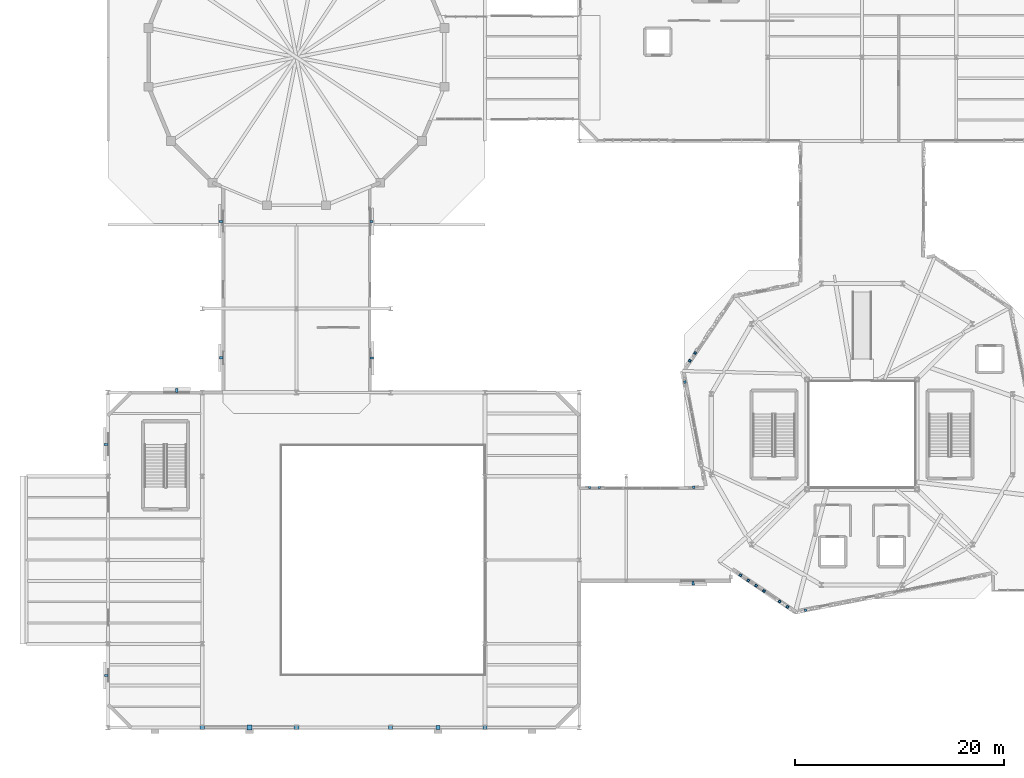
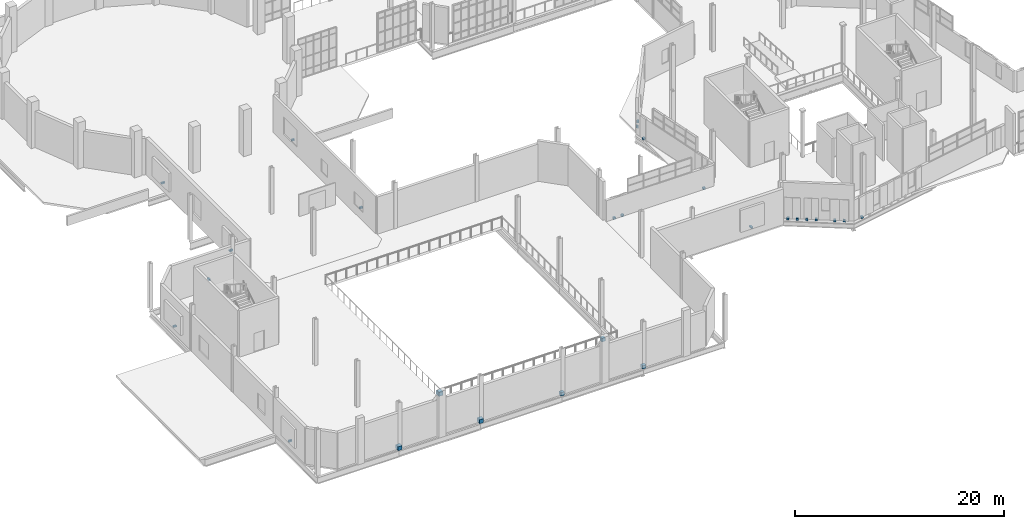
# One storey, part 129 of 142: 27 discrete accessories.
"""IFC4 building model written with IfcOpenShell, lengths in metres."""

from ifc_helpers import new_model, si_unit, direction, frame, origin, place, context, subcontext, project, spatial, polyline, outline, extrude, material, type_object, element, save


model = new_model("IFC4")

# Units and contexts
model_context = context("Model", 3, precision=1e-05, world=origin(), true_north=direction((0.0, 1.0)))
body_context = subcontext(model_context, "Body", "Model", "MODEL_VIEW")
ifc_project = project(units=[si_unit("LENGTHUNIT", "METRE"), si_unit("AREAUNIT", "SQUARE_METRE"), si_unit("VOLUMEUNIT", "CUBIC_METRE"), si_unit("PLANEANGLEUNIT", "RADIAN"), si_unit("MASSUNIT", "GRAM", prefix="KILO"), si_unit("THERMODYNAMICTEMPERATUREUNIT", "KELVIN"), si_unit("POWERUNIT", "WATT")], contexts=[model_context])

# Site, building, storey
site_placement = place(None, origin())
site = spatial("IfcSite", under=ifc_project, at=site_placement, CompositionType="ELEMENT")
building_placement = place(site_placement, origin())
building = spatial("IfcBuilding", under=site, at=building_placement, Name="Zelmaris Science Centre", CompositionType="ELEMENT")
storey_placement = place(building_placement, frame((0.0, 0.0, 5.39990234375)))
storey = spatial("IfcBuildingStorey", under=building, at=storey_placement, Name="L01", CompositionType="ELEMENT", Elevation=5.39990234375)

# Discrete accessories
ifc_material_1 = material(Name="Galvanised steel ASTM A500 Grade B", Category="steel")
discrete_accessory_type_1 = type_object("IfcDiscreteAccessoryType", Name="Facade Bracket BK-01", PredefinedType="BRACKET", material=ifc_material_1)
discrete_accessory_1_placement = place(storey_placement, frame((0.0, 0.0, -0.139892578125)))
element("IfcDiscreteAccessory", 1, at=discrete_accessory_1_placement, inside=storey, type_object=discrete_accessory_type_1, Name="L01 Facade anchorage bracket 9", PredefinedType="BRACKET", context=body_context, shape_type="SweptSolid", body=[
    extrude(outline(polyline([(75.7080078125, 19.352294921875), (75.472412109375, 19.306396484375), (75.5166015625, 19.0791015625), (75.752197265625, 19.125), (75.7080078125, 19.352294921875)])), origin(), (0.0, 0.0, 1.0), 0.239990234375),
])
discrete_accessory_2_placement = place(storey_placement, frame((0.0, 0.0, -0.139892578125)))
element("IfcDiscreteAccessory", 2, at=discrete_accessory_2_placement, inside=storey, type_object=discrete_accessory_type_1, Name="L01 Facade anchorage bracket 10", PredefinedType="BRACKET", context=body_context, shape_type="SweptSolid", body=[
    extrude(outline(polyline([(74.035888671875, 19.560546875), (73.8369140625, 19.694580078125), (73.70751953125, 19.50244140625), (73.90673828125, 19.368408203125), (74.035888671875, 19.560546875)])), origin(), (0.0, 0.0, 1.0), 0.239990234375),
])
discrete_accessory_3_placement = place(storey_placement, frame((0.0, 0.0, -0.139892578125)))
element("IfcDiscreteAccessory", 3, at=discrete_accessory_3_placement, inside=storey, type_object=discrete_accessory_type_1, Name="L01 Facade anchorage bracket 11", PredefinedType="BRACKET", context=body_context, shape_type="SweptSolid", body=[
    extrude(outline(polyline([(73.2890625, 20.062744140625), (73.090087890625, 20.19677734375), (72.960693359375, 20.004638671875), (73.159912109375, 19.87060546875), (73.2890625, 20.062744140625)])), origin(), (0.0, 0.0, 1.0), 0.239990234375),
])
discrete_accessory_4_placement = place(storey_placement, frame((0.0, 0.0, -0.139892578125)))
element("IfcDiscreteAccessory", 4, at=discrete_accessory_4_placement, inside=storey, type_object=discrete_accessory_type_1, Name="L01 Facade anchorage bracket 12", PredefinedType="BRACKET", context=body_context, shape_type="SweptSolid", body=[
    extrude(outline(polyline([(71.79541015625, 21.0673828125), (71.59619140625, 21.201171875), (71.467041015625, 21.009033203125), (71.666259765625, 20.875), (71.79541015625, 21.0673828125)])), origin(), (0.0, 0.0, 1.0), 0.239990234375),
])
discrete_accessory_5_placement = place(storey_placement, frame((0.0, 0.0, -0.139892578125)))
element("IfcDiscreteAccessory", 5, at=discrete_accessory_5_placement, inside=storey, type_object=discrete_accessory_type_1, Name="L01 Facade anchorage bracket 13", PredefinedType="BRACKET", context=body_context, shape_type="SweptSolid", body=[
    extrude(outline(polyline([(71.048583984375, 21.569580078125), (70.849365234375, 21.703369140625), (70.72021484375, 21.51123046875), (70.91943359375, 21.377197265625), (71.048583984375, 21.569580078125)])), origin(), (0.0, 0.0, 1.0), 0.239990234375),
])
discrete_accessory_6_placement = place(storey_placement, frame((0.0, 0.0, -0.139892578125)))
element("IfcDiscreteAccessory", 6, at=discrete_accessory_6_placement, inside=storey, type_object=discrete_accessory_type_1, Name="L01 Facade anchorage bracket 14", PredefinedType="BRACKET", context=body_context, shape_type="SweptSolid", body=[
    extrude(outline(polyline([(70.3017578125, 22.07177734375), (70.1025390625, 22.20556640625), (69.973388671875, 22.013427734375), (70.172607421875, 21.87939453125), (70.3017578125, 22.07177734375)])), origin(), (0.0, 0.0, 1.0), 0.239990234375),
])
discrete_accessory_7_placement = place(storey_placement, frame((0.0, 0.0, -0.139892578125)))
element("IfcDiscreteAccessory", 7, at=discrete_accessory_7_placement, inside=storey, type_object=discrete_accessory_type_1, Name="L01 Facade anchorage bracket 15", PredefinedType="BRACKET", context=body_context, shape_type="SweptSolid", body=[
    extrude(outline(polyline([(69.554931640625, 22.573974609375), (69.355712890625, 22.7080078125), (69.2265625, 22.515625), (69.42578125, 22.381591796875), (69.554931640625, 22.573974609375)])), origin(), (0.0, 0.0, 1.0), 0.239990234375),
])
discrete_accessory_8_placement = place(storey_placement, frame((0.0, 0.0, -0.139892578125)))
element("IfcDiscreteAccessory", 8, at=discrete_accessory_8_placement, inside=storey, type_object=discrete_accessory_type_1, Name="L01 Facade anchorage bracket 36", PredefinedType="BRACKET", context=body_context, shape_type="SweptSolid", body=[
    extrude(outline(polyline([(54.90185546875, 30.810546875), (55.141845703125, 30.810791015625), (55.1416015625, 31.04248046875), (54.901611328125, 31.042236328125), (54.90185546875, 30.810546875)])), origin(), (0.0, 0.0, 1.0), 0.239990234375),
])
discrete_accessory_9_placement = place(storey_placement, frame((0.0, 0.0, -0.139892578125)))
element("IfcDiscreteAccessory", 9, at=discrete_accessory_9_placement, inside=storey, type_object=discrete_accessory_type_1, Name="L01 Facade anchorage bracket 37", PredefinedType="BRACKET", context=body_context, shape_type="SweptSolid", body=[
    extrude(outline(polyline([(55.8017578125, 30.811279296875), (56.041748046875, 30.811279296875), (56.04150390625, 31.04296875), (55.801513671875, 31.042724609375), (55.8017578125, 30.811279296875)])), origin(), (0.0, 0.0, 1.0), 0.239990234375),
])
discrete_accessory_10_placement = place(storey_placement, frame((0.0, 0.0, -0.139892578125)))
element("IfcDiscreteAccessory", 10, at=discrete_accessory_10_placement, inside=storey, type_object=discrete_accessory_type_1, Name="L01 Facade anchorage bracket 38", PredefinedType="BRACKET", context=body_context, shape_type="SweptSolid", body=[
    extrude(outline(polyline([(64.8017578125, 30.81689453125), (65.041748046875, 30.81689453125), (65.04150390625, 31.048583984375), (64.801513671875, 31.04833984375), (64.8017578125, 30.81689453125)])), origin(), (0.0, 0.0, 1.0), 0.239990234375),
])
discrete_accessory_11_placement = place(storey_placement, frame((0.0, 0.0, -0.139892578125)))
element("IfcDiscreteAccessory", 11, at=discrete_accessory_11_placement, inside=storey, type_object=discrete_accessory_type_1, Name="L01 Facade anchorage bracket 41", PredefinedType="BRACKET", context=body_context, shape_type="SweptSolid", body=[
    extrude(outline(polyline([(64.22705078125, 40.89697265625), (64.181396484375, 41.132568359375), (63.953857421875, 41.08837890625), (63.999755859375, 40.852783203125), (64.22705078125, 40.89697265625)])), origin(), (0.0, 0.0, 1.0), 0.239990234375),
])
discrete_accessory_12_placement = place(storey_placement, frame((0.0, 0.0, -0.139892578125)))
element("IfcDiscreteAccessory", 12, at=discrete_accessory_12_placement, inside=storey, type_object=discrete_accessory_type_1, Name="L01 Facade anchorage bracket 42", PredefinedType="BRACKET", context=body_context, shape_type="SweptSolid", body=[
    extrude(outline(polyline([(64.58837890625, 42.858642578125), (64.72265625, 43.0576171875), (64.53076171875, 43.18701171875), (64.396484375, 42.988037109375), (64.58837890625, 42.858642578125)])), origin(), (0.0, 0.0, 1.0), 0.239990234375),
])
discrete_accessory_13_placement = place(storey_placement, frame((0.0, 0.0, -0.139892578125)))
element("IfcDiscreteAccessory", 13, at=discrete_accessory_13_placement, inside=storey, type_object=discrete_accessory_type_1, Name="L01 Facade anchorage bracket 43", PredefinedType="BRACKET", context=body_context, shape_type="SweptSolid", body=[
    extrude(outline(polyline([(65.091796875, 43.604736328125), (65.22607421875, 43.8037109375), (65.033935546875, 43.93310546875), (64.89990234375, 43.734130859375), (65.091796875, 43.604736328125)])), origin(), (0.0, 0.0, 1.0), 0.239990234375),
])
discrete_accessory_type_2 = type_object("IfcDiscreteAccessoryType", Name="Facade Bracket BK-02", PredefinedType="BRACKET", material=ifc_material_1)
discrete_accessory_14_placement = place(storey_placement, frame((0.0, 0.0, 0.920166015625)))
element("IfcDiscreteAccessory", 14, at=discrete_accessory_14_placement, inside=storey, type_object=discrete_accessory_type_2, Name="L01 Louvre support bracket 1", PredefinedType="BRACKET", context=body_context, shape_type="SweptSolid", body=[
    extrude(outline(polyline([(9.0, 12.860107421875), (9.0, 13.06005859375), (8.650146484375, 13.06005859375), (8.650146484375, 12.860107421875), (9.0, 12.860107421875)])), origin(), (0.0, 0.0, 1.0), 0.179931640625),
])
discrete_accessory_15_placement = place(storey_placement, frame((0.0, 0.0, 0.920166015625)))
element("IfcDiscreteAccessory", 15, at=discrete_accessory_15_placement, inside=storey, type_object=discrete_accessory_type_2, Name="L01 Louvre support bracket 2", PredefinedType="BRACKET", context=body_context, shape_type="SweptSolid", body=[
    extrude(outline(polyline([(9.0, 34.93994140625), (9.0, 35.139892578125), (8.64013671875, 35.139892578125), (8.64013671875, 34.93994140625), (9.0, 34.93994140625)])), origin(), (0.0, 0.0, 1.0), 0.179931640625),
])
discrete_accessory_16_placement = place(storey_placement, frame((0.0, 0.0, 0.920166015625)))
element("IfcDiscreteAccessory", 16, at=discrete_accessory_16_placement, inside=storey, type_object=discrete_accessory_type_2, Name="L01 Louvre support bracket 3", PredefinedType="BRACKET", context=body_context, shape_type="SweptSolid", body=[
    extrude(outline(polyline([(15.469970703125, 40.0), (15.669921875, 40.0), (15.669921875, 40.3701171875), (15.469970703125, 40.3701171875), (15.469970703125, 40.0)])), origin(), (0.0, 0.0, 1.0), 0.179931640625),
])
discrete_accessory_17_placement = place(storey_placement, frame((0.0, 0.0, 0.920166015625)))
element("IfcDiscreteAccessory", 17, at=discrete_accessory_17_placement, inside=storey, type_object=discrete_accessory_type_2, Name="L01 Louvre support bracket 4", PredefinedType="BRACKET", context=body_context, shape_type="SweptSolid", body=[
    extrude(outline(polyline([(19.99951171875, 43.208984375), (19.99951171875, 43.4091796875), (19.629638671875, 43.4091796875), (19.629638671875, 43.208984375), (19.99951171875, 43.208984375)])), origin(), (0.0, 0.0, 1.0), 0.179931640625),
])
discrete_accessory_18_placement = place(storey_placement, frame((0.0, 0.0, 0.920166015625)))
element("IfcDiscreteAccessory", 18, at=discrete_accessory_18_placement, inside=storey, type_object=discrete_accessory_type_2, Name="L01 Louvre support bracket 5", PredefinedType="BRACKET", context=body_context, shape_type="SweptSolid", body=[
    extrude(outline(polyline([(19.9990234375, 56.22900390625), (19.9990234375, 56.42919921875), (19.618896484375, 56.42919921875), (19.618896484375, 56.22900390625), (19.9990234375, 56.22900390625)])), origin(), (0.0, 0.0, 1.0), 0.179931640625),
])
discrete_accessory_19_placement = place(storey_placement, frame((0.0, 0.0, 0.920166015625)))
element("IfcDiscreteAccessory", 19, at=discrete_accessory_19_placement, inside=storey, type_object=discrete_accessory_type_2, Name="L01 Louvre support bracket 9", PredefinedType="BRACKET", context=body_context, shape_type="SweptSolid", body=[
    extrude(outline(polyline([(64.98046875, 21.99658203125), (64.780517578125, 21.99658203125), (64.78076171875, 21.606689453125), (64.980712890625, 21.606689453125), (64.98046875, 21.99658203125)])), origin(), (0.0, 0.0, 1.0), 0.179931640625),
])
discrete_accessory_20_placement = place(storey_placement, frame((0.0, 0.0, 0.920166015625)))
element("IfcDiscreteAccessory", 20, at=discrete_accessory_20_placement, inside=storey, type_object=discrete_accessory_type_2, Name="L01 Louvre support bracket 10", PredefinedType="BRACKET", context=body_context, shape_type="SweptSolid", body=[
    extrude(outline(polyline([(34.002685546875, 56.413330078125), (34.0029296875, 56.21337890625), (34.318115234375, 56.213623046875), (34.31787109375, 56.41357421875), (34.002685546875, 56.413330078125)])), origin(), (0.0, 0.0, 1.0), 0.179931640625),
])
discrete_accessory_21_placement = place(storey_placement, frame((0.0, 0.0, 0.920166015625)))
element("IfcDiscreteAccessory", 21, at=discrete_accessory_21_placement, inside=storey, type_object=discrete_accessory_type_2, Name="L01 Louvre support bracket 11", PredefinedType="BRACKET", context=body_context, shape_type="SweptSolid", body=[
    extrude(outline(polyline([(34.0146484375, 43.376708984375), (34.0146484375, 43.1767578125), (34.339599609375, 43.177001953125), (34.339599609375, 43.376953125), (34.0146484375, 43.376708984375)])), origin(), (0.0, 0.0, 1.0), 0.179931640625),
])
ifc_material_2 = material(Name="Steel ASTM A500 Grade C", Category="steel")
discrete_accessory_type_3 = type_object("IfcDiscreteAccessoryType", Name="Hollow Section End Cap Plate BK-ECP", PredefinedType="BRACKET", material=ifc_material_2)
discrete_accessory_22_placement = place(storey_placement, frame((0.0, 0.0, -0.154296875)))
element("IfcDiscreteAccessory", 22, at=discrete_accessory_22_placement, inside=storey, type_object=discrete_accessory_type_3, Name="End cap plate 557", PredefinedType="BRACKET", context=body_context, shape_type="SweptSolid", body=[
    extrude(outline(polyline([(17.76611328125, 7.77001953125), (18.225830078125, 7.77001953125), (18.225830078125, 8.22998046875), (17.76611328125, 8.22998046875), (17.76611328125, 7.77001953125)])), origin(), (0.0, 0.0, 1.0), 0.4599609375),
])
discrete_accessory_23_placement = place(storey_placement, frame((0.0, 0.0, 4.594482421875)))
element("IfcDiscreteAccessory", 23, at=discrete_accessory_23_placement, inside=storey, type_object=discrete_accessory_type_3, Name="End cap plate 558", PredefinedType="BRACKET", context=body_context, shape_type="SweptSolid", body=[
    extrude(outline(polyline([(22.274169921875, 7.77001953125), (22.73388671875, 7.77001953125), (22.73388671875, 8.22998046875), (22.274169921875, 8.22998046875), (22.274169921875, 7.77001953125)])), origin(), (0.0, 0.0, 1.0), 0.4599609375),
])
discrete_accessory_24_placement = place(storey_placement, frame((0.0, 0.0, -0.154296875)))
element("IfcDiscreteAccessory", 24, at=discrete_accessory_24_placement, inside=storey, type_object=discrete_accessory_type_3, Name="End cap plate 559", PredefinedType="BRACKET", context=body_context, shape_type="SweptSolid", body=[
    extrude(outline(polyline([(26.774169921875, 7.77001953125), (27.23388671875, 7.77001953125), (27.23388671875, 8.22998046875), (26.774169921875, 8.22998046875), (26.774169921875, 7.77001953125)])), origin(), (0.0, 0.0, 1.0), 0.4599609375),
])
discrete_accessory_25_placement = place(storey_placement, frame((0.0, 0.0, -0.114990234375)))
element("IfcDiscreteAccessory", 25, at=discrete_accessory_25_placement, inside=storey, type_object=discrete_accessory_type_3, Name="End cap plate 569", PredefinedType="BRACKET", context=body_context, shape_type="SweptSolid", body=[
    extrude(outline(polyline([(35.80517578125, 7.80908203125), (36.186767578125, 7.80908203125), (36.186767578125, 8.19091796875), (35.80517578125, 8.19091796875), (35.80517578125, 7.80908203125)])), origin(), (0.0, 0.0, 1.0), 0.381591796875),
])
discrete_accessory_26_placement = place(storey_placement, frame((0.0, 0.0, 4.6337890625)))
element("IfcDiscreteAccessory", 26, at=discrete_accessory_26_placement, inside=storey, type_object=discrete_accessory_type_3, Name="End cap plate 570", PredefinedType="BRACKET", context=body_context, shape_type="SweptSolid", body=[
    extrude(outline(polyline([(40.313232421875, 7.80908203125), (40.69482421875, 7.80908203125), (40.69482421875, 8.19091796875), (40.313232421875, 8.19091796875), (40.313232421875, 7.80908203125)])), origin(), (0.0, 0.0, 1.0), 0.381591796875),
])
discrete_accessory_27_placement = place(storey_placement, frame((0.0, 0.0, -0.114990234375)))
element("IfcDiscreteAccessory", 27, at=discrete_accessory_27_placement, inside=storey, type_object=discrete_accessory_type_3, Name="End cap plate 571", PredefinedType="BRACKET", context=body_context, shape_type="SweptSolid", body=[
    extrude(outline(polyline([(44.813232421875, 7.80908203125), (45.19482421875, 7.80908203125), (45.19482421875, 8.19091796875), (44.813232421875, 8.19091796875), (44.813232421875, 7.80908203125)])), origin(), (0.0, 0.0, 1.0), 0.381591796875),
])

save(model, "model.ifc")
